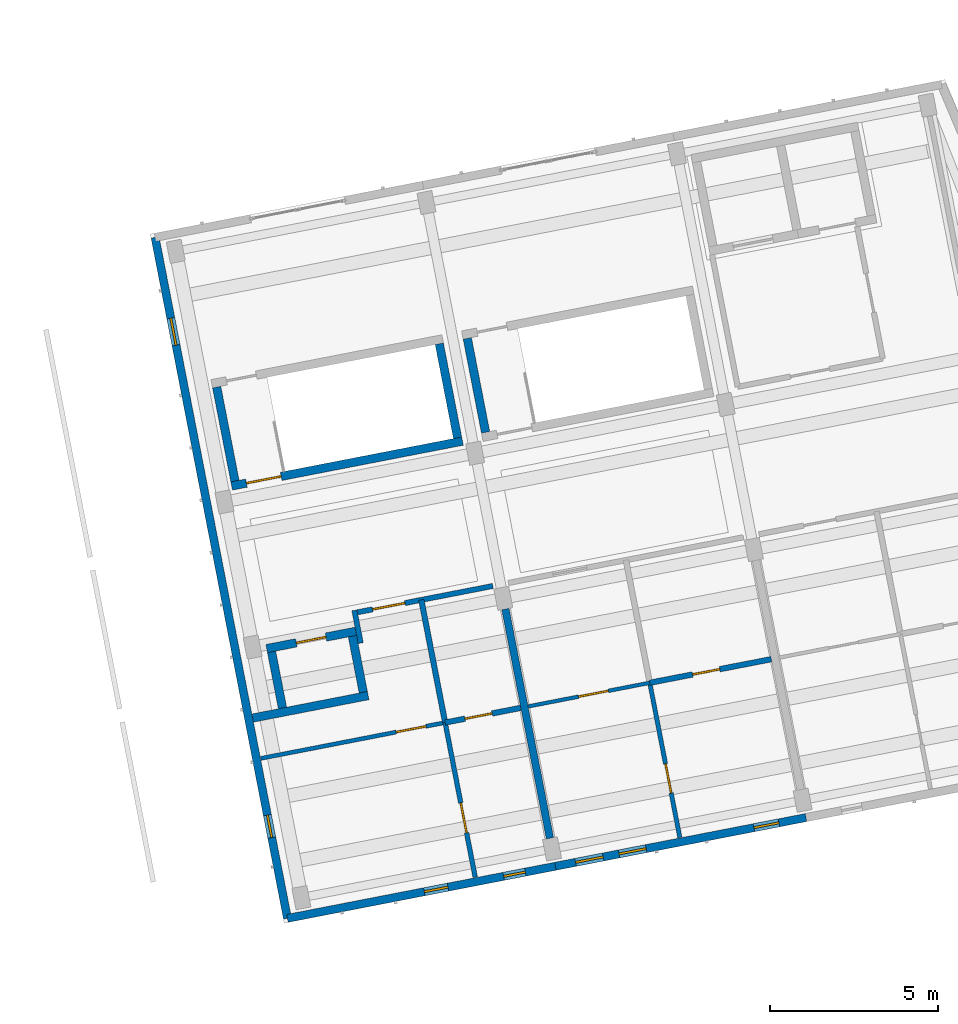
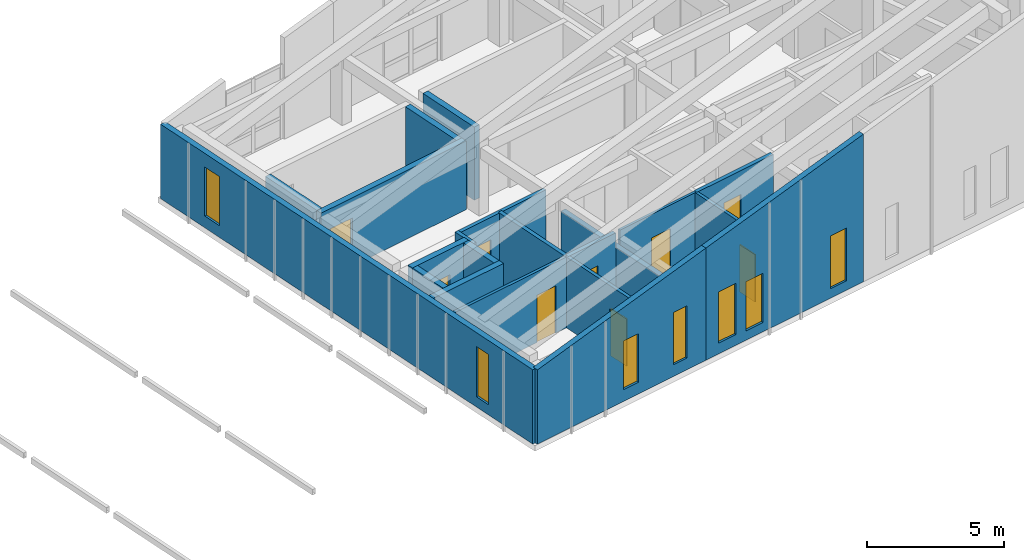
# One storey, part 29 of 56: 21 walls, 9 doors, 7 windows, 16 openings.
"""IFC4 building model written with IfcOpenShell, lengths in metres."""

from ifc_helpers import new_model, si_unit, direction, frame, frame_2d, origin, place, context, subcontext, project, spatial, polyline, rectangle, outline, extrude, material, layer, layer_set, type_object, element, fill, save


model = new_model("IFC4")

# Units and contexts
model_context = context("Model", 3, precision=1e-05, world=origin(), true_north=direction((0.0, 1.0)))
body_context = subcontext(model_context, "Body", "Model", "MODEL_VIEW")
ifc_project = project(units=[si_unit("LENGTHUNIT", "METRE"), si_unit("AREAUNIT", "SQUARE_METRE"), si_unit("VOLUMEUNIT", "CUBIC_METRE"), si_unit("PLANEANGLEUNIT", "RADIAN"), si_unit("MASSUNIT", "GRAM", prefix="KILO")], contexts=[model_context])

# Site, building, storey
site_placement = place(None, origin())
site = spatial("IfcSite", under=ifc_project, at=site_placement, CompositionType="ELEMENT")
building_placement = place(site_placement, origin())
building = spatial("IfcBuilding", under=site, at=building_placement, Name="Kestramere Prow Commons", CompositionType="ELEMENT")
storey_placement = place(building_placement, frame((0.0, 0.0, 27.89990234375)))
storey = spatial("IfcBuildingStorey", under=building, at=storey_placement, Name="L08", CompositionType="ELEMENT", Elevation=27.89990234375)

# Wall, openings, windows
ifc_material_1 = material(Name="Fluoropolymer Standing-Seam Zinc-Aluminium Cladding", Category="aluminium")
ifc_layer_1 = layer(ifc_material_1, 0.239990234375)
ifc_layer_set_1 = layer_set([ifc_layer_1], Name="Fluoropolymer Standing-Seam Zinc-Aluminium Cladding")
wall_type_1 = type_object("IfcWallType", Name="EW-SEAM-240", PredefinedType="SOLIDWALL", material=ifc_layer_set_1)
wall_1_placement = place(storey_placement, frame((148.341552734375, 39.28515625, 0.0), z_axis=(0.0, 0.0, 1.0), x_axis=(-0.981627273155, -0.190808533872, 0.0)))
wall_1 = element("IfcWall", 1, at=wall_1_placement, inside=storey, type_object=wall_type_1, Name="Block D L08 South Standing-Seam Wall 4", PredefinedType="SOLIDWALL", context=body_context, shape_type="SweptSolid", body=[
    extrude(outline(polyline([(0.0, 0.0), (8.124755859375, 0.0), (8.125, 3.30517578125), (0.0, 4.98681640625), (0.0, 0.0)])), frame((0.0, 0.1201171875, 0.0), z_axis=(0.0, -1.0, 0.0), x_axis=(1.0, 0.0, 0.0)), (0.0, 0.0, 1.0), 0.239990234375),
])
opening_1_placement = place(wall_1_placement, frame((0.910888671875, 0.0, 0.52001953125)))
opening_1 = element("IfcOpeningElement", 2, at=opening_1_placement, cuts=wall_1, Name="Opening WN-05", PredefinedType="OPENING", context=body_context, shape_type="SweptSolid", body=[
    extrude(rectangle(XDim=0.659912109375, YDim=2.320068359375, at=frame_2d((0.330078125, 1.16015625))), frame((0.0, 0.135009765625, 0.0), z_axis=(0.0, -1.0, 0.0), x_axis=(1.0, 0.0, 0.0)), (0.0, 0.0, 1.0), 0.27001953125),
])
opening_2_placement = place(wall_1_placement, frame((3.25439453125, 0.0, 0.52001953125)))
opening_2 = element("IfcOpeningElement", 3, at=opening_2_placement, cuts=wall_1, Name="Opening WN-08", PredefinedType="OPENING", context=body_context, shape_type="SweptSolid", body=[
    extrude(rectangle(XDim=0.719970703125, YDim=2.159912109375, at=frame_2d((0.35986328125, 1.080078125))), frame((0.0, 0.135009765625, 0.0), z_axis=(0.0, -1.0, 0.0), x_axis=(1.0, 0.0, 0.0)), (0.0, 0.0, 1.0), 0.27001953125),
])
ifc_material_2 = material(Name="Low-E Laminated Double Glazing", Category="glass")
window_type_1 = type_object("IfcWindowType", Name="WN-NAR-660A", PartitioningType="SINGLE_PANEL", PredefinedType="WINDOW", material=ifc_material_2)
window_1_placement = place(opening_1_placement, origin())
window_1 = element("IfcWindow", 4, at=window_1_placement, inside=storey, type_object=window_type_1, Name="WN-D-L08-S-3-00", OverallHeight=2.320068359375, OverallWidth=0.659912109375, PartitioningType="SINGLE_PANEL", PredefinedType="WINDOW", context=body_context, shape_type="SweptSolid", body=[
    extrude(rectangle(XDim=0.659912109375, YDim=2.320068359375, at=frame_2d((0.330078125, 1.16015625))), frame((0.0, 0.030029296875, 0.0), z_axis=(0.0, -1.0, 0.0), x_axis=(1.0, 0.0, 0.0)), (0.0, 0.0, 1.0), 0.06005859375),
])
fill(opening_1, window_1)
window_type_2 = type_object("IfcWindowType", Name="WN-NAR-720A", PartitioningType="SINGLE_PANEL", PredefinedType="WINDOW", material=ifc_material_2)
window_2_placement = place(opening_2_placement, origin())
window_2 = element("IfcWindow", 5, at=window_2_placement, inside=storey, type_object=window_type_2, Name="WN-D-L08-S-3-10", OverallHeight=2.159912109375, OverallWidth=0.719970703125, PartitioningType="SINGLE_PANEL", PredefinedType="WINDOW", context=body_context, shape_type="SweptSolid", body=[
    extrude(rectangle(XDim=0.719970703125, YDim=2.159912109375, at=frame_2d((0.35986328125, 1.080078125))), frame((0.0, 0.030029296875, 0.0), z_axis=(0.0, -1.0, 0.0), x_axis=(1.0, 0.0, 0.0)), (0.0, 0.0, 1.0), 0.06005859375),
])
fill(opening_2, window_2)

wall_2_placement = place(storey_placement, frame((155.802001953125, 40.7353515625, 0.0), z_axis=(0.0, 0.0, 1.0), x_axis=(-0.981626422232, -0.190812911449, 0.0)))
wall_2 = element("IfcWall", 6, at=wall_2_placement, inside=storey, type_object=wall_type_1, Name="Block D L08 South Standing-Seam Wall 5", PredefinedType="SOLIDWALL", context=body_context, shape_type="SweptSolid", body=[
    extrude(outline(polyline([(0.0, 0.0), (7.60009765625, 0.0), (7.60009765625, 4.98681640625), (0.0, 6.5595703125), (0.0, 0.0)])), frame((0.0, 0.1201171875, 0.0), z_axis=(0.0, -1.0, 0.0), x_axis=(1.0, 0.0, 0.0)), (0.0, 0.0, 1.0), 0.239990234375),
])
opening_3_placement = place(wall_2_placement, frame((0.8203125, 0.0, 0.419921875)))
opening_3 = element("IfcOpeningElement", 7, at=opening_3_placement, cuts=wall_2, Name="Opening WN-10", PredefinedType="OPENING", context=body_context, shape_type="SweptSolid", body=[
    extrude(rectangle(XDim=0.760009765625, YDim=2.340087890625, at=frame_2d((0.3798828125, 1.169921875))), frame((0.0, 0.135009765625, 0.0), z_axis=(0.0, -1.0, 0.0), x_axis=(1.0, 0.0, 0.0)), (0.0, 0.0, 1.0), 0.27001953125),
])
opening_4_placement = place(wall_2_placement, frame((4.847900390625, 0.0, 0.419921875)))
opening_4 = element("IfcOpeningElement", 8, at=opening_4_placement, cuts=wall_2, Name="Opening WN-13", PredefinedType="OPENING", context=body_context, shape_type="SweptSolid", body=[
    extrude(rectangle(XDim=0.820068359375, YDim=2.179931640625, at=frame_2d((0.41015625, 1.08984375))), frame((0.0, 0.135009765625, 0.0), z_axis=(0.0, -1.0, 0.0), x_axis=(1.0, 0.0, 0.0)), (0.0, 0.0, 1.0), 0.27001953125),
])
opening_5_placement = place(wall_2_placement, frame((6.14990234375, 0.0, 0.47998046875)))
opening_5 = element("IfcOpeningElement", 9, at=opening_5_placement, cuts=wall_2, Name="Opening WN-14", PredefinedType="OPENING", context=body_context, shape_type="SweptSolid", body=[
    extrude(rectangle(XDim=0.840087890625, YDim=2.280029296875, at=frame_2d((0.419921875, 1.14013671875))), frame((0.0, 0.135009765625, 0.0), z_axis=(0.0, -1.0, 0.0), x_axis=(1.0, 0.0, 0.0)), (0.0, 0.0, 1.0), 0.27001953125),
])
window_type_3 = type_object("IfcWindowType", Name="WN-NAR-760A", PartitioningType="SINGLE_PANEL", PredefinedType="WINDOW", material=ifc_material_2)
window_3_placement = place(opening_3_placement, origin())
window_3 = element("IfcWindow", 10, at=window_3_placement, inside=storey, type_object=window_type_3, Name="WN-D-L08-S-4-00", OverallHeight=2.340087890625, OverallWidth=0.760009765625, PartitioningType="SINGLE_PANEL", PredefinedType="WINDOW", context=body_context, shape_type="SweptSolid", body=[
    extrude(rectangle(XDim=0.760009765625, YDim=2.340087890625, at=frame_2d((0.3798828125, 1.169921875))), frame((0.0, 0.030029296875, 0.0), z_axis=(0.0, -1.0, 0.0), x_axis=(1.0, 0.0, 0.0)), (0.0, 0.0, 1.0), 0.06005859375),
])
fill(opening_3, window_3)
window_type_4 = type_object("IfcWindowType", Name="WN-NAR-820A", PartitioningType="DOUBLE_PANEL_VERTICAL", PredefinedType="WINDOW", material=ifc_material_2)
window_4_placement = place(opening_4_placement, origin())
window_4 = element("IfcWindow", 11, at=window_4_placement, inside=storey, type_object=window_type_4, Name="WN-D-L08-S-4-10", OverallHeight=2.179931640625, OverallWidth=0.820068359375, PartitioningType="SINGLE_PANEL", PredefinedType="WINDOW", context=body_context, shape_type="SweptSolid", body=[
    extrude(rectangle(XDim=0.820068359375, YDim=2.179931640625, at=frame_2d((0.41015625, 1.08984375))), frame((0.0, 0.030029296875, 0.0), z_axis=(0.0, -1.0, 0.0), x_axis=(1.0, 0.0, 0.0)), (0.0, 0.0, 1.0), 0.06005859375),
])
fill(opening_4, window_4)
window_type_5 = type_object("IfcWindowType", Name="WN-NAR-840A", PartitioningType="DOUBLE_PANEL_VERTICAL", PredefinedType="WINDOW", material=ifc_material_2)
window_5_placement = place(opening_5_placement, origin())
window_5 = element("IfcWindow", 12, at=window_5_placement, inside=storey, type_object=window_type_5, Name="WN-D-L08-S-4-11", OverallHeight=2.280029296875, OverallWidth=0.840087890625, PartitioningType="SINGLE_PANEL", PredefinedType="WINDOW", context=body_context, shape_type="SweptSolid", body=[
    extrude(rectangle(XDim=0.840087890625, YDim=2.280029296875, at=frame_2d((0.419921875, 1.14013671875))), frame((0.0, 0.030029296875, 0.0), z_axis=(0.0, -1.0, 0.0), x_axis=(1.0, 0.0, 0.0)), (0.0, 0.0, 1.0), 0.06005859375),
])
fill(opening_5, window_5)

wall_3_placement = place(storey_placement, frame((140.365966796875, 37.73486328125, 0.0), z_axis=(0.0, 0.0, 1.0), x_axis=(-0.190806686307, 0.981627632282, 0.0)))
wall_3 = element("IfcWall", 13, at=wall_3_placement, inside=storey, type_object=wall_type_1, Name="Block D L08 EAV Facet Wall", PredefinedType="SOLIDWALL", context=body_context, shape_type="SweptSolid", body=[
    extrude(rectangle(XDim=20.650146484375, YDim=0.239990234375, at=frame_2d((10.3251953125, 0.0))), origin(), (0.0, 0.0, 1.0), 3.30517578125),
])
opening_6_placement = place(wall_3_placement, frame((2.449951171875, 0.0, 0.449951171875)))
opening_6 = element("IfcOpeningElement", 14, at=opening_6_placement, cuts=wall_3, Name="Opening WN-06", PredefinedType="OPENING", context=body_context, shape_type="SweptSolid", body=[
    extrude(rectangle(XDim=0.679931640625, YDim=2.239990234375, at=frame_2d((0.33984375, 1.1201171875))), frame((0.0, 0.135009765625, 0.0), z_axis=(0.0, -1.0, 0.0), x_axis=(1.0, 0.0, 0.0)), (0.0, 0.0, 1.0), 0.27001953125),
])
opening_7_placement = place(wall_3_placement, frame((17.3798828125, 0.0, 0.52001953125)))
opening_7 = element("IfcOpeningElement", 15, at=opening_7_placement, cuts=wall_3, Name="Opening WN-13", PredefinedType="OPENING", context=body_context, shape_type="SweptSolid", body=[
    extrude(rectangle(XDim=0.820068359375, YDim=2.179931640625, at=frame_2d((0.41015625, 1.08984375))), frame((0.0, 0.135009765625, 0.0), z_axis=(0.0, -1.0, 0.0), x_axis=(1.0, 0.0, 0.0)), (0.0, 0.0, 1.0), 0.27001953125),
])
window_type_6 = type_object("IfcWindowType", Name="WN-NAR-680A", PartitioningType="SINGLE_PANEL", PredefinedType="WINDOW", material=ifc_material_2)
window_6_placement = place(opening_6_placement, origin())
window_6 = element("IfcWindow", 16, at=window_6_placement, inside=storey, type_object=window_type_6, Name="WN-D-L08-EAV-0", OverallHeight=2.239990234375, OverallWidth=0.679931640625, PartitioningType="SINGLE_PANEL", PredefinedType="WINDOW", context=body_context, shape_type="SweptSolid", body=[
    extrude(rectangle(XDim=0.679931640625, YDim=2.239990234375, at=frame_2d((0.33984375, 1.1201171875))), frame((0.0, 0.030029296875, 0.0), z_axis=(0.0, -1.0, 0.0), x_axis=(1.0, 0.0, 0.0)), (0.0, 0.0, 1.0), 0.06005859375),
])
fill(opening_6, window_6)
window_7_placement = place(opening_7_placement, origin())
window_7 = element("IfcWindow", 17, at=window_7_placement, inside=storey, type_object=window_type_4, Name="WN-D-L08-EAV-1", OverallHeight=2.179931640625, OverallWidth=0.820068359375, PartitioningType="SINGLE_PANEL", PredefinedType="WINDOW", context=body_context, shape_type="SweptSolid", body=[
    extrude(rectangle(XDim=0.820068359375, YDim=2.179931640625, at=frame_2d((0.41015625, 1.08984375))), frame((0.0, 0.030029296875, 0.0), z_axis=(0.0, -1.0, 0.0), x_axis=(1.0, 0.0, 0.0)), (0.0, 0.0, 1.0), 0.06005859375),
])
fill(opening_7, window_7)

# Wall, opening, door
ifc_material_3 = material(Name="Concrete C40/50", Category="concrete")
ifc_layer_2 = layer(ifc_material_3, 0.25)
ifc_layer_set_2 = layer_set([ifc_layer_2], Name="Concrete C40/50")
wall_type_2 = type_object("IfcWallType", Name="W-CORE-250", PredefinedType="SHEAR", material=ifc_layer_set_2)
wall_4_placement = place(storey_placement, frame((138.704833984375, 50.6044921875, 0.0), z_axis=(0.0, 0.0, 1.0), x_axis=(0.981626097708, 0.19081458094, 0.0)))
wall_4 = element("IfcWall", 18, at=wall_4_placement, inside=storey, type_object=wall_type_2, Name="ST-D1 L08 Corridor Shaft Wall", PredefinedType="SHEAR", context=body_context, shape_type="SweptSolid", body=[
    extrude(rectangle(XDim=7.0, YDim=0.25, at=frame_2d((3.5, 0.0))), origin(), (0.0, 0.0, 1.0), 3.048828125),
])
opening_8_placement = place(wall_4_placement, frame((0.449951171875, 0.0, 0.0)))
opening_8 = element("IfcOpeningElement", 19, at=opening_8_placement, cuts=wall_4, Name="Opening ID-01", PredefinedType="OPENING", context=body_context, shape_type="SweptSolid", body=[
    extrude(rectangle(XDim=1.050048828125, YDim=2.14990234375, at=frame_2d((0.52490234375, 1.074951171875))), frame((0.0, 0.139892578125, 0.0), z_axis=(0.0, -1.0, 0.0), x_axis=(1.0, 0.0, 0.0)), (0.0, 0.0, 1.0), 0.280029296875),
])
ifc_material_4 = material(Name="Fire-Rated Timber and Steel Frame", Category="steel")
door_type_1 = type_object("IfcDoorType", Name="FD-ST-01", OperationType="NOTDEFINED", PredefinedType="DOOR", material=ifc_material_4)
door_1_placement = place(opening_8_placement, origin())
door_1 = element("IfcDoor", 20, at=door_1_placement, inside=storey, type_object=door_type_1, Name="ST-D1 L08 Protected Stair Door", OperationType="SINGLE_SWING_LEFT", OverallHeight=2.14990234375, OverallWidth=1.050048828125, PredefinedType="DOOR", context=body_context, shape_type="SweptSolid", body=[
    extrude(rectangle(XDim=1.050048828125, YDim=2.14990234375, at=frame_2d((0.52490234375, 1.074951171875))), frame((0.0, 0.02490234375, 0.0), z_axis=(0.0, -1.0, 0.0), x_axis=(1.0, 0.0, 0.0)), (0.0, 0.0, 1.0), 0.050048828125),
])
fill(opening_8, door_1)

# Walls
wall_5_placement = place(storey_placement, frame((138.8037109375, 50.7509765625, 0.0), z_axis=(0.0, 0.0, 1.0), x_axis=(-0.190858194834, 0.981617618762, 0.0)))
element("IfcWall", 21, at=wall_5_placement, inside=storey, type_object=wall_type_2, Name="ST-D1 L08 Near Shaft Wall", PredefinedType="SHEAR", context=body_context, shape_type="SweptSolid", body=[
    extrude(rectangle(XDim=2.85009765625, YDim=0.25, at=frame_2d((1.425048828125, 0.0))), origin(), (0.0, 0.0, 1.0), 3.048828125),
])
wall_6_placement = place(storey_placement, frame((145.4296875, 52.038818359375, 0.0), z_axis=(0.0, 0.0, 1.0), x_axis=(-0.190842147128, 0.981620738819, 0.0)))
element("IfcWall", 22, at=wall_6_placement, inside=storey, type_object=wall_type_2, Name="ST-D1 L08 Far Shaft Wall", PredefinedType="SHEAR", context=body_context, shape_type="SweptSolid", body=[
    extrude(rectangle(XDim=2.850341796875, YDim=0.25, at=frame_2d((1.42529296875, 0.0))), origin(), (0.0, 0.0, 1.0), 3.048828125),
])
wall_7_placement = place(storey_placement, frame((146.263916015625, 52.201171875, 0.0), z_axis=(0.0, 0.0, 1.0), x_axis=(-0.190775649797, 0.981633664584, 0.0)))
element("IfcWall", 23, at=wall_7_placement, inside=storey, type_object=wall_type_2, Name="ST-D2 L08 Near Shaft Wall", PredefinedType="SHEAR", context=body_context, shape_type="SweptSolid", body=[
    extrude(rectangle(XDim=2.849853515625, YDim=0.25, at=frame_2d((1.4248046875, 0.0))), origin(), (0.0, 0.0, 1.0), 3.25),
])
ifc_material_5 = material(Name="Fire-Rated Calcium Silicate Wall")
ifc_layer_3 = layer(ifc_material_5, 0.155029296875)
ifc_layer_set_3 = layer_set([ifc_layer_3], Name="Fire-Rated Calcium Silicate Wall")
wall_type_3 = type_object("IfcWallType", Name="W-FIRE-150", PredefinedType="PARTITIONING", material=ifc_layer_set_3)
wall_8_placement = place(storey_placement, frame((142.5478515625, 45.9267578125, 0.0), z_axis=(0.0, 0.0, 1.0), x_axis=(-0.190639805817, 0.981660055436, 0.0)))
element("IfcWall", 24, at=wall_8_placement, inside=storey, type_object=wall_type_3, Name="Interior Partition PW-D-L08-HS-CLOSER", PredefinedType="PARTITIONING", context=body_context, shape_type="SweptSolid", body=[
    extrude(rectangle(XDim=0.9951171875, YDim=0.155029296875, at=frame_2d((0.49755859375, 0.0))), origin(), (0.0, 0.0, 1.0), 3.150146484375),
])

# Wall, opening, door
wall_9_placement = place(storey_placement, frame((142.450927734375, 46.84521484375, 0.0), z_axis=(0.0, 0.0, 1.0), x_axis=(0.981629934904, 0.190794839817, 0.0)))
wall_9 = element("IfcWall", 25, at=wall_9_placement, inside=storey, type_object=wall_type_3, Name="Interior Partition PW-D-L08-CS-3", PredefinedType="PARTITIONING", context=body_context, shape_type="SweptSolid", body=[
    extrude(rectangle(XDim=4.10498046875, YDim=0.155029296875, at=frame_2d((2.052490234375, 0.0))), origin(), (0.0, 0.0, 1.0), 3.150146484375),
])
opening_9_placement = place(wall_9_placement, frame((0.4580078125, 0.0, 0.0)))
opening_9 = element("IfcOpeningElement", 26, at=opening_9_placement, cuts=wall_9, Name="Opening ID-04", PredefinedType="OPENING", context=body_context, shape_type="SweptSolid", body=[
    extrude(rectangle(XDim=0.97998046875, YDim=2.14990234375, at=frame_2d((0.489990234375, 1.074951171875))), frame((0.0, 0.092529296875, 0.0), z_axis=(0.0, -1.0, 0.0), x_axis=(1.0, 0.0, 0.0)), (0.0, 0.0, 1.0), 0.18505859375),
])
ifc_material_6 = material(Name="Hardwood Fire-Rated Flat Entrance Door", Category="wood")
door_type_2 = type_object("IfcDoorType", Name="FD-ENT-01", OperationType="NOTDEFINED", PredefinedType="DOOR", material=ifc_material_6)
door_2_placement = place(opening_9_placement, origin())
door_2 = element("IfcDoor", 27, at=door_2_placement, inside=storey, type_object=door_type_2, Name="Interior Door DR-D-L08-ENT-S3", OperationType="SINGLE_SWING_RIGHT", OverallHeight=2.14990234375, OverallWidth=0.97998046875, PredefinedType="DOOR", context=body_context, shape_type="SweptSolid", body=[
    extrude(rectangle(XDim=0.97998046875, YDim=2.14990234375, at=frame_2d((0.489990234375, 1.074951171875))), frame((0.0, 0.02490234375, 0.0), z_axis=(0.0, -1.0, 0.0), x_axis=(1.0, 0.0, 0.0)), (0.0, 0.0, 1.0), 0.050048828125),
])
fill(opening_9, door_2)

# Wall
ifc_layer_4 = layer(ifc_material_3, 0.25)
ifc_layer_set_4 = layer_set([ifc_layer_4], Name="Concrete C40/50")
wall_type_4 = type_object("IfcWallType", Name="W-HS-250", PredefinedType="SHEAR", material=ifc_layer_set_4)
wall_10_placement = place(storey_placement, frame((139.334228515625, 43.697509765625, 0.0), z_axis=(0.0, 0.0, 1.0), x_axis=(0.981620834598, 0.190841654477, 0.0)))
element("IfcWall", 28, at=wall_10_placement, inside=storey, type_object=wall_type_4, Name="Block D L08 Household Shelter South Wall", PredefinedType="SHEAR", context=body_context, shape_type="SweptSolid", body=[
    extrude(rectangle(XDim=3.5, YDim=0.25, at=frame_2d((1.75, 0.0))), origin(), (0.0, 0.0, 1.0), 3.183349609375),
])

# Wall, opening, door
wall_11_placement = place(storey_placement, frame((139.74755859375, 45.764404296875, 0.0), z_axis=(0.0, 0.0, 1.0), x_axis=(0.981630445883, 0.190792210834, 0.0)))
wall_11 = element("IfcWall", 29, at=wall_11_placement, inside=storey, type_object=wall_type_4, Name="Block D L08 Household Shelter North Wall", PredefinedType="SHEAR", context=body_context, shape_type="SweptSolid", body=[
    extrude(rectangle(XDim=2.699951171875, YDim=0.25, at=frame_2d((1.35009765625, 0.0))), origin(), (0.0, 0.0, 1.0), 3.183349609375),
])
opening_10_placement = place(wall_11_placement, frame((0.89990234375, 0.0, 0.0)))
opening_10 = element("IfcOpeningElement", 30, at=opening_10_placement, cuts=wall_11, Name="Opening ID-06", PredefinedType="OPENING", context=body_context, shape_type="SweptSolid", body=[
    extrude(rectangle(XDim=0.89990234375, YDim=2.050048828125, at=frame_2d((0.449951171875, 1.02490234375))), frame((0.0, 0.139892578125, 0.0), z_axis=(0.0, -1.0, 0.0), x_axis=(1.0, 0.0, 0.0)), (0.0, 0.0, 1.0), 0.280029296875),
])
ifc_material_7 = material(Name="Galvanised Steel S275JR Household Shelter Door", Category="steel")
door_type_3 = type_object("IfcDoorType", Name="FD-HS-01", OperationType="NOTDEFINED", PredefinedType="DOOR", material=ifc_material_7)
door_3_placement = place(opening_10_placement, origin())
door_3 = element("IfcDoor", 31, at=door_3_placement, inside=storey, type_object=door_type_3, Name="Block D L08 Household Shelter Blast Door", OperationType="SINGLE_SWING_RIGHT", OverallHeight=2.050048828125, OverallWidth=0.89990234375, PredefinedType="DOOR", context=body_context, shape_type="SweptSolid", body=[
    extrude(rectangle(XDim=0.89990234375, YDim=2.050048828125, at=frame_2d((0.449951171875, 1.02490234375))), frame((0.0, 0.02490234375, 0.0), z_axis=(0.0, -1.0, 0.0), x_axis=(1.0, 0.0, 0.0)), (0.0, 0.0, 1.0), 0.050048828125),
])
fill(opening_10, door_3)

# Walls
for number, where, z_axis, x_axis, name in (
    (32, (140.21826171875, 43.996826171875, 0.0), (0.0, 0.0, 1.0), (-0.190727425199, 0.981643035567, 0.0), "Block D L08 Household Shelter W Wall"),
    (33, (142.623291015625, 44.46435546875, 0.0), (0.0, 0.0, 1.0), (-0.190727425199, 0.981643035567, 0.0), "Block D L08 Household Shelter E Wall"),
):
    element("IfcWall", number, at=place(storey_placement, frame(where, z_axis=z_axis, x_axis=x_axis)), inside=storey, type_object=wall_type_4, Name=name, PredefinedType="SHEAR", context=body_context, shape_type="SweptSolid", body=[
        extrude(rectangle(XDim=1.699951171875, YDim=0.25, at=frame_2d((0.85009765625, 0.0))), origin(), (0.0, 0.0, 1.0), 3.183349609375),
    ])

# Wall, opening, door
ifc_material_8 = material(Name="Gypsum Acoustic Drywall")
ifc_layer_5 = layer(ifc_material_8, 0.110107421875)
ifc_layer_set_5 = layer_set([ifc_layer_5], Name="Gypsum Acoustic Drywall")
wall_type_5 = type_object("IfcWallType", Name="W-PART-110", PredefinedType="PARTITIONING", material=ifc_layer_set_5)
wall_12_placement = place(storey_placement, frame((147.533935546875, 44.04345703125, 0.0), z_axis=(0.0, 0.0, 1.0), x_axis=(0.981626422232, 0.190812911449, 0.0)))
wall_12 = element("IfcWall", 34, at=wall_12_placement, inside=storey, type_object=wall_type_5, Name="Interior Partition PW-D-L08-MIDS1-4", PredefinedType="PARTITIONING", context=body_context, shape_type="SweptSolid", body=[
    extrude(rectangle(XDim=3.684814453125, YDim=0.110107421875, at=frame_2d((1.84228515625, 0.0))), origin(), (0.0, 0.0, 1.0), 3.150146484375),
])
opening_11_placement = place(wall_12_placement, frame((1.52490234375, 0.0, 0.0)))
opening_11 = element("IfcOpeningElement", 35, at=opening_11_placement, cuts=wall_12, Name="Opening ID-08", PredefinedType="OPENING", context=body_context, shape_type="SweptSolid", body=[
    extrude(rectangle(XDim=0.89990234375, YDim=2.10009765625, at=frame_2d((0.449951171875, 1.050048828125))), frame((0.0, 0.070068359375, 0.0), z_axis=(0.0, -1.0, 0.0), x_axis=(1.0, 0.0, 0.0)), (0.0, 0.0, 1.0), 0.14013671875),
])
ifc_material_9 = material(Name="Engineered Timber Flush Door", Category="wood")
door_type_4 = type_object("IfcDoorType", Name="D-RM-01", OperationType="NOTDEFINED", PredefinedType="DOOR", material=ifc_material_9)
door_4_placement = place(opening_11_placement, origin())
door_4 = element("IfcDoor", 36, at=door_4_placement, inside=storey, type_object=door_type_4, Name="Interior Door DR-D-L08-KL-S4", OperationType="SINGLE_SWING_RIGHT", OverallHeight=2.10009765625, OverallWidth=0.89990234375, PredefinedType="DOOR", context=body_context, shape_type="SweptSolid", body=[
    extrude(rectangle(XDim=0.89990234375, YDim=2.10009765625, at=frame_2d((0.449951171875, 1.050048828125))), frame((0.0, 0.02490234375, 0.0), z_axis=(0.0, -1.0, 0.0), x_axis=(1.0, 0.0, 0.0)), (0.0, 0.0, 1.0), 0.050048828125),
])
fill(opening_11, door_4)

ifc_material_10 = material(Name="Lightweight Blockwork and Plaster", Category="masonry")
ifc_layer_6 = layer(ifc_material_10, 0.1201171875)
ifc_layer_set_6 = layer_set([ifc_layer_6], Name="Lightweight Blockwork and Plaster")
wall_type_6 = type_object("IfcWallType", Name="W-PART-120", PredefinedType="PARTITIONING", material=ifc_layer_set_6)
wall_13_placement = place(storey_placement, frame((139.572998046875, 42.49609375, 0.0), z_axis=(0.0, 0.0, 1.0), x_axis=(0.981624708273, 0.190821728607, 0.0)))
wall_13 = element("IfcWall", 37, at=wall_13_placement, inside=storey, type_object=wall_type_6, Name="Interior Partition PW-D-L08-MIDS1-3", PredefinedType="PARTITIONING", context=body_context, shape_type="SweptSolid", body=[
    extrude(rectangle(XDim=5.58984375, YDim=0.1201171875, at=frame_2d((2.794921875, 0.0))), origin(), (0.0, 0.0, 1.0), 3.150146484375),
])
opening_12_placement = place(wall_13_placement, frame((4.10498046875, 0.0, 0.0)))
opening_12 = element("IfcOpeningElement", 38, at=opening_12_placement, cuts=wall_13, Name="Opening ID-08", PredefinedType="OPENING", context=body_context, shape_type="SweptSolid", body=[
    extrude(rectangle(XDim=0.89990234375, YDim=2.10009765625, at=frame_2d((0.449951171875, 1.050048828125))), frame((0.0, 0.074951171875, 0.0), z_axis=(0.0, -1.0, 0.0), x_axis=(1.0, 0.0, 0.0)), (0.0, 0.0, 1.0), 0.150146484375),
])
door_5_placement = place(opening_12_placement, origin())
door_5 = element("IfcDoor", 39, at=door_5_placement, inside=storey, type_object=door_type_4, Name="Interior Door DR-D-L08-KL-S3", OperationType="SINGLE_SWING_RIGHT", OverallHeight=2.10009765625, OverallWidth=0.89990234375, PredefinedType="DOOR", context=body_context, shape_type="SweptSolid", body=[
    extrude(rectangle(XDim=0.89990234375, YDim=2.10009765625, at=frame_2d((0.449951171875, 1.050048828125))), frame((0.0, 0.02490234375, 0.0), z_axis=(0.0, -1.0, 0.0), x_axis=(1.0, 0.0, 0.0)), (0.0, 0.0, 1.0), 0.050048828125),
])
fill(opening_12, door_5)

ifc_layer_7 = layer(ifc_material_10, 0.1298828125)
ifc_layer_set_7 = layer_set([ifc_layer_7], Name="Lightweight Blockwork and Plaster")
wall_type_7 = type_object("IfcWallType", Name="W-PART-130", PredefinedType="PARTITIONING", material=ifc_layer_set_7)
wall_14_placement = place(storey_placement, frame((152.046142578125, 40.142822265625, 0.0), z_axis=(0.0, 0.0, 1.0), x_axis=(-0.190837612577, 0.981621620394, 0.0)))
wall_14 = element("IfcWall", 40, at=wall_14_placement, inside=storey, type_object=wall_type_7, Name="Interior Partition PW-D-L08-LB-S4", PredefinedType="PARTITIONING", context=body_context, shape_type="SweptSolid", body=[
    extrude(rectangle(XDim=4.68994140625, YDim=0.1298828125, at=frame_2d((2.344970703125, 0.0))), origin(), (0.0, 0.0, 1.0), 3.150146484375),
])
opening_13_placement = place(wall_14_placement, frame((1.35009765625, 0.0, 0.0)))
opening_13 = element("IfcOpeningElement", 41, at=opening_13_placement, cuts=wall_14, Name="Opening ID-10", PredefinedType="OPENING", context=body_context, shape_type="SweptSolid", body=[
    extrude(rectangle(XDim=0.8798828125, YDim=2.10009765625, at=frame_2d((0.43994140625, 1.050048828125))), frame((0.0, 0.079833984375, 0.0), z_axis=(0.0, -1.0, 0.0), x_axis=(1.0, 0.0, 0.0)), (0.0, 0.0, 1.0), 0.159912109375),
])
ifc_material_11 = material(Name="Engineered Timber Bedroom Door", Category="wood")
door_type_5 = type_object("IfcDoorType", Name="D-RM-03", OperationType="NOTDEFINED", PredefinedType="DOOR", material=ifc_material_11)
door_6_placement = place(opening_13_placement, origin())
door_6 = element("IfcDoor", 42, at=door_6_placement, inside=storey, type_object=door_type_5, Name="Interior Door DR-D-L08-BED-S4", OperationType="SINGLE_SWING_LEFT", OverallHeight=2.10009765625, OverallWidth=0.8798828125, PredefinedType="DOOR", context=body_context, shape_type="SweptSolid", body=[
    extrude(rectangle(XDim=0.8798828125, YDim=2.10009765625, at=frame_2d((0.43994140625, 1.050048828125))), frame((0.0, 0.02490234375, 0.0), z_axis=(0.0, -1.0, 0.0), x_axis=(1.0, 0.0, 0.0)), (0.0, 0.0, 1.0), 0.050048828125),
])
fill(opening_13, door_6)

ifc_material_12 = material(Name="Masonry Compartment Wall", Category="masonry")
ifc_layer_8 = layer(ifc_material_12, 0.139892578125)
ifc_layer_set_8 = layer_set([ifc_layer_8], Name="Masonry Compartment Wall")
wall_type_8 = type_object("IfcWallType", Name="W-PART-140", PredefinedType="PARTITIONING", material=ifc_layer_set_8)
wall_15_placement = place(storey_placement, frame((145.955078125, 38.958984375, 0.0), z_axis=(0.0, 0.0, 1.0), x_axis=(-0.190837612577, 0.981621620394, 0.0)))
wall_15 = element("IfcWall", 43, at=wall_15_placement, inside=storey, type_object=wall_type_8, Name="Interior Partition PW-D-L08-LB-S3", PredefinedType="PARTITIONING", context=body_context, shape_type="SweptSolid", body=[
    extrude(rectangle(XDim=4.68994140625, YDim=0.139892578125, at=frame_2d((2.344970703125, 0.0))), origin(), (0.0, 0.0, 1.0), 3.150146484375),
])
opening_14_placement = place(wall_15_placement, frame((1.35009765625, 0.0, 0.0)))
opening_14 = element("IfcOpeningElement", 44, at=opening_14_placement, cuts=wall_15, Name="Opening ID-08", PredefinedType="OPENING", context=body_context, shape_type="SweptSolid", body=[
    extrude(rectangle(XDim=0.89990234375, YDim=2.10009765625, at=frame_2d((0.449951171875, 1.050048828125))), frame((0.0, 0.0849609375, 0.0), z_axis=(0.0, -1.0, 0.0), x_axis=(1.0, 0.0, 0.0)), (0.0, 0.0, 1.0), 0.169921875),
])
door_7_placement = place(opening_14_placement, origin())
door_7 = element("IfcDoor", 45, at=door_7_placement, inside=storey, type_object=door_type_4, Name="Interior Door DR-D-L08-BED-S3", OperationType="SINGLE_SWING_RIGHT", OverallHeight=2.10009765625, OverallWidth=0.89990234375, PredefinedType="DOOR", context=body_context, shape_type="SweptSolid", body=[
    extrude(rectangle(XDim=0.89990234375, YDim=2.10009765625, at=frame_2d((0.449951171875, 1.050048828125))), frame((0.0, 0.02490234375, 0.0), z_axis=(0.0, -1.0, 0.0), x_axis=(1.0, 0.0, 0.0)), (0.0, 0.0, 1.0), 0.050048828125),
])
fill(opening_14, door_7)

ifc_material_13 = material(Name="Waterproof Sanitary Masonry Wall", Category="masonry")
ifc_layer_9 = layer(ifc_material_13, 0.1650390625)
ifc_layer_set_9 = layer_set([ifc_layer_9], Name="Waterproof Sanitary Masonry Wall")
wall_type_9 = type_object("IfcWallType", Name="W-PLUMB-150", PredefinedType="PLUMBINGWALL", material=ifc_layer_set_9)
wall_16_placement = place(storey_placement, frame((145.06005859375, 43.562744140625, 0.0), z_axis=(0.0, 0.0, 1.0), x_axis=(0.981624265801, 0.190824004755, 0.0)))
wall_16 = element("IfcWall", 46, at=wall_16_placement, inside=storey, type_object=wall_type_9, Name="Interior Partition PW-D-L08-MIDS2-3", PredefinedType="PLUMBINGWALL", context=body_context, shape_type="SweptSolid", body=[
    extrude(rectangle(XDim=2.2900390625, YDim=0.1650390625, at=frame_2d((1.14501953125, 0.0))), origin(), (0.0, 0.0, 1.0), 3.150146484375),
])
opening_15_placement = place(wall_16_placement, frame((0.60205078125, 0.0, 0.0)))
opening_15 = element("IfcOpeningElement", 47, at=opening_15_placement, cuts=wall_16, Name="Opening ID-11", PredefinedType="OPENING", context=body_context, shape_type="SweptSolid", body=[
    extrude(rectangle(XDim=0.820068359375, YDim=2.080078125, at=frame_2d((0.41015625, 1.0400390625))), frame((0.0, 0.097412109375, 0.0), z_axis=(0.0, -1.0, 0.0), x_axis=(1.0, 0.0, 0.0)), (0.0, 0.0, 1.0), 0.195068359375),
])
ifc_material_14 = material(Name="Moisture-Resistant Timber Bathroom Door", Category="wood")
door_type_6 = type_object("IfcDoorType", Name="D-BT-01", OperationType="NOTDEFINED", PredefinedType="DOOR", material=ifc_material_14)
door_8_placement = place(opening_15_placement, origin())
door_8 = element("IfcDoor", 48, at=door_8_placement, inside=storey, type_object=door_type_6, Name="Interior Door DR-D-L08-BTH-S3", OperationType="SINGLE_SWING_LEFT", OverallHeight=2.080078125, OverallWidth=0.820068359375, PredefinedType="DOOR", context=body_context, shape_type="SweptSolid", body=[
    extrude(rectangle(XDim=0.820068359375, YDim=2.080078125, at=frame_2d((0.41015625, 1.0400390625))), frame((0.0, 0.02490234375, 0.0), z_axis=(0.0, -1.0, 0.0), x_axis=(1.0, 0.0, 0.0)), (0.0, 0.0, 1.0), 0.050048828125),
])
fill(opening_15, door_8)

# Wall
wall_17_placement = place(storey_placement, frame((145.06005859375, 43.562744140625, 0.0), z_axis=(0.0, 0.0, 1.0), x_axis=(-0.190787096078, 0.981631439987, 0.0)))
element("IfcWall", 49, at=wall_17_placement, inside=storey, type_object=wall_type_9, Name="Interior Partition PW-D-L08-KB-S3", PredefinedType="PLUMBINGWALL", context=body_context, shape_type="SweptSolid", body=[
    extrude(rectangle(XDim=3.719970703125, YDim=0.1650390625, at=frame_2d((1.85986328125, 0.0))), origin(), (0.0, 0.0, 1.0), 3.150146484375),
])

# Wall, opening, door
wall_18_placement = place(storey_placement, frame((151.151123046875, 44.74658203125, 0.0), z_axis=(0.0, 0.0, 1.0), x_axis=(0.981628834294, 0.190800502313, 0.0)))
wall_18 = element("IfcWall", 50, at=wall_18_placement, inside=storey, type_object=wall_type_9, Name="Interior Partition PW-D-L08-MIDS2-4", PredefinedType="PLUMBINGWALL", context=body_context, shape_type="SweptSolid", body=[
    extrude(rectangle(XDim=3.68505859375, YDim=0.1650390625, at=frame_2d((1.842529296875, 0.0))), origin(), (0.0, 0.0, 1.0), 3.150146484375),
])
opening_16_placement = place(wall_18_placement, frame((1.300048828125, 0.0, 0.0)))
opening_16 = element("IfcOpeningElement", 51, at=opening_16_placement, cuts=wall_18, Name="Opening ID-11", PredefinedType="OPENING", context=body_context, shape_type="SweptSolid", body=[
    extrude(rectangle(XDim=0.820068359375, YDim=2.080078125, at=frame_2d((0.41015625, 1.0400390625))), frame((0.0, 0.097412109375, 0.0), z_axis=(0.0, -1.0, 0.0), x_axis=(1.0, 0.0, 0.0)), (0.0, 0.0, 1.0), 0.195068359375),
])
door_9_placement = place(opening_16_placement, origin())
door_9 = element("IfcDoor", 52, at=door_9_placement, inside=storey, type_object=door_type_6, Name="Interior Door DR-D-L08-BTH-S4", OperationType="SINGLE_SWING_LEFT", OverallHeight=2.080078125, OverallWidth=0.820068359375, PredefinedType="DOOR", context=body_context, shape_type="SweptSolid", body=[
    extrude(rectangle(XDim=0.820068359375, YDim=2.080078125, at=frame_2d((0.41015625, 1.0400390625))), frame((0.0, 0.02490234375, 0.0), z_axis=(0.0, -1.0, 0.0), x_axis=(1.0, 0.0, 0.0)), (0.0, 0.0, 1.0), 0.050048828125),
])
fill(opening_16, door_9)

# Wall
ifc_material_15 = material(Name="Precast concrete C40/50", Category="concrete")
ifc_layer_10 = layer(ifc_material_15, 0.219970703125)
ifc_layer_set_10 = layer_set([ifc_layer_10], Name="Precast concrete C40/50")
wall_type_10 = type_object("IfcWallType", Name="W-XWALL-220", PredefinedType="SHEAR", material=ifc_layer_set_10)
wall_19_placement = place(storey_placement, frame((148.179443359375, 40.11962890625, 0.0), z_axis=(0.0, 0.0, 1.0), x_axis=(-0.190817005532, 0.981625626397, 0.0)))
element("IfcWall", 53, at=wall_19_placement, inside=storey, type_object=wall_type_10, Name="Block D L08 Precast Cross-Wall 4", PredefinedType="SHEAR", context=body_context, shape_type="SweptSolid", body=[
    extrude(rectangle(XDim=6.949951171875, YDim=0.219970703125, at=frame_2d((3.47509765625, 0.0))), origin(), (0.0, 0.0, 1.0), 2.5),
])

save(model, "model.ifc")
